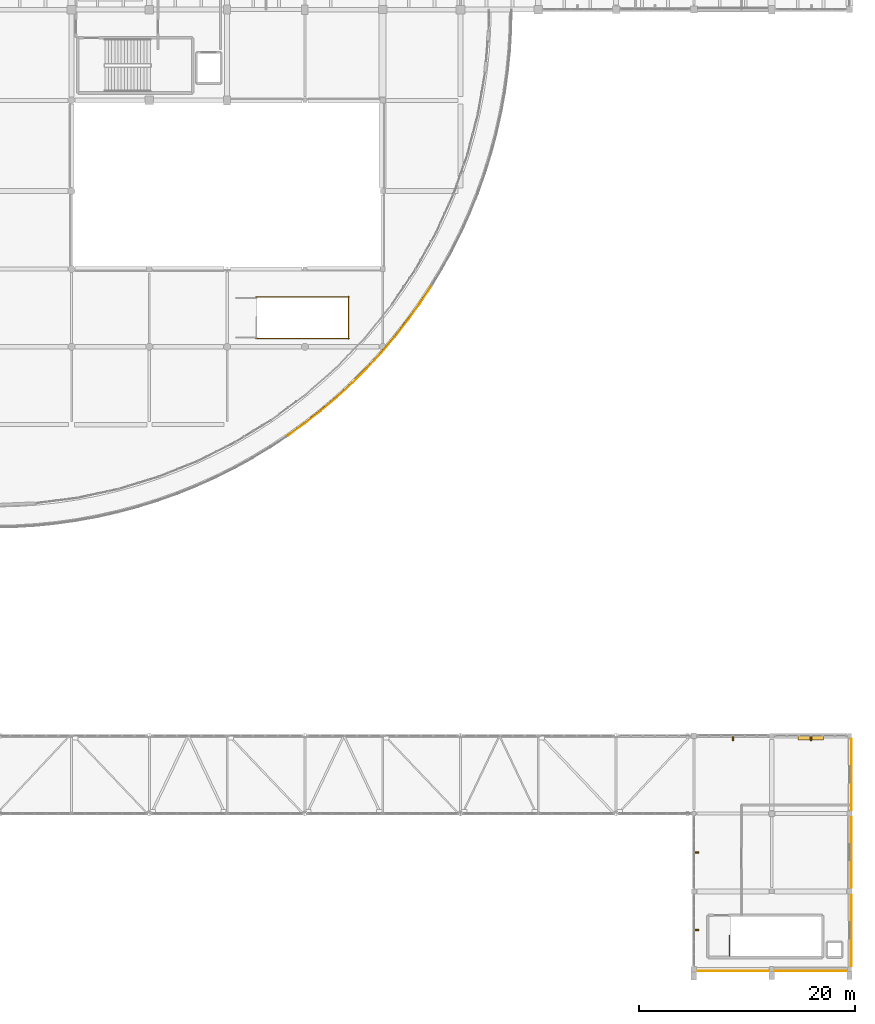
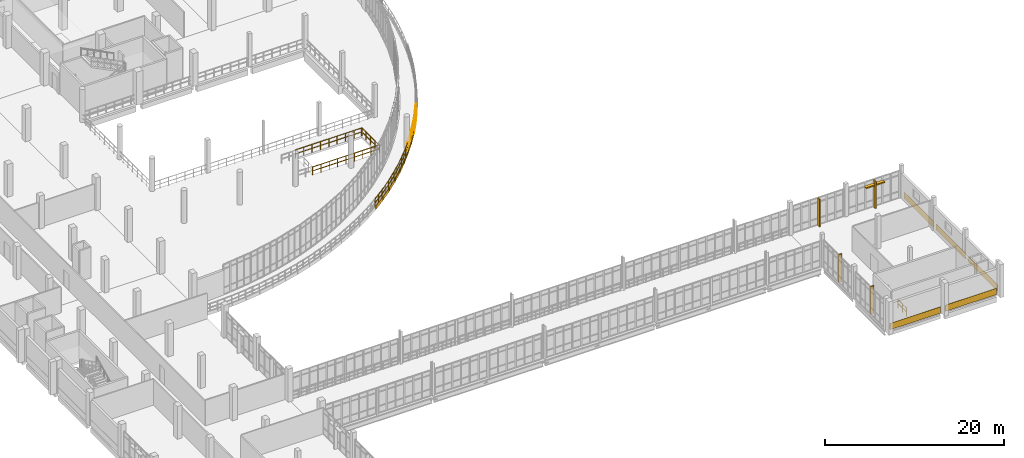
# One storey, part 111 of 116: 15 coverings, 14 railings, 5 shading devices.
"""IFC4 building model written with IfcOpenShell, lengths in metres."""

from ifc_helpers import new_model, si_unit, direction, frame, origin, origin_2d, place, context, subcontext, project, spatial, rectangle, circle, extrude, material, layer, layer_set, type_object, element, save


model = new_model("IFC4")

# Units and contexts
model_context = context("Model", 3, precision=1e-05, world=origin(), true_north=direction((0.0, 1.0)))
body_context = subcontext(model_context, "Body", "Model", "MODEL_VIEW")
ifc_project = project(units=[si_unit("LENGTHUNIT", "METRE"), si_unit("AREAUNIT", "SQUARE_METRE"), si_unit("VOLUMEUNIT", "CUBIC_METRE"), si_unit("PLANEANGLEUNIT", "RADIAN"), si_unit("MASSUNIT", "GRAM", prefix="KILO")], contexts=[model_context])

# Site, building, storey
site_placement = place(None, origin())
site = spatial("IfcSite", under=ifc_project, at=site_placement, CompositionType="ELEMENT")
building_placement = place(site_placement, origin())
building = spatial("IfcBuilding", under=site, at=building_placement, Name="Kalluvel Institute of Natural Sciences", CompositionType="ELEMENT")
storey_placement = place(building_placement, frame((0.0, 0.0, 14.39990234375)))
storey = spatial("IfcBuildingStorey", under=building, at=storey_placement, Name="L03", CompositionType="ELEMENT", Elevation=14.39990234375)

# Coverings
ifc_material_1 = material(Name="Sadarahalli Grey Granite Ashlar Concrete M40", Category="masonry")
ifc_layer = layer(ifc_material_1, 0.044921875)
ifc_layer_set = layer_set([ifc_layer], Name="Sadarahalli Grey Granite Ashlar Concrete M40")
covering_type = type_object("IfcCoveringType", Name="COV-CLAD-STONE", PredefinedType="CLADDING", material=ifc_layer_set)
covering_1_placement = place(storey_placement, frame((63.598876953125, 63.934814453125, -0.31982421875), z_axis=(0.0, 0.0, 1.0), x_axis=(0.811369990919, 0.584532922799, 0.0)))
element("IfcCovering", 1, at=covering_1_placement, inside=storey, type_object=covering_type, Name="L03 curved terrace Sadarahalli stone spandrel fascia 307", PredefinedType="CLADDING", context=body_context, shape_type="SweptSolid", body=[
    extrude(rectangle(XDim=1.88916015625, YDim=0.054931640625, at=origin_2d()), origin(), (0.0, 0.0, 1.0), 0.47998046875),
])
covering_2_placement = place(storey_placement, frame((65.14111328125, 65.09375, -0.31982421875), z_axis=(0.0, 0.0, 1.0), x_axis=(0.787150360167, 0.616761145412, 0.0)))
element("IfcCovering", 2, at=covering_2_placement, inside=storey, type_object=covering_type, Name="L03 curved terrace Sadarahalli stone spandrel fascia 308", PredefinedType="CLADDING", context=body_context, shape_type="SweptSolid", body=[
    extrude(rectangle(XDim=1.888916015625, YDim=0.054931640625, at=origin_2d()), origin(), (0.0, 0.0, 1.0), 0.47998046875),
])
for number, where, z_axis, x_axis, name in (
    (3, (66.63525390625, 66.313720703125, -0.31982421875), (0.0, 0.0, 1.0), (0.761764497661, 0.647854034566, 0.0), "L03 curved terrace Sadarahalli stone spandrel fascia 309"),
    (4, (68.079345703125, 67.593017578125, -0.31982421875), (0.0, 0.0, 1.0), (0.735032945147, 0.678031392746, 0.0), "L03 curved terrace Sadarahalli stone spandrel fascia 310"),
    (5, (69.470703125, 68.929443359375, -0.31982421875), (0.0, 0.0, 1.0), (0.707106781187, 0.707106781187, 0.0), "L03 curved terrace Sadarahalli stone spandrel fascia 311"),
    (6, (70.806884765625, 70.32080078125, -0.31982421875), (0.0, 0.0, 1.0), (0.678031392746, 0.735032945147, 0.0), "L03 curved terrace Sadarahalli stone spandrel fascia 312"),
    (7, (72.086181640625, 71.7646484375, -0.31982421875), (0.0, 0.0, 1.0), (0.647854034566, 0.761764497661, 0.0), "L03 curved terrace Sadarahalli stone spandrel fascia 313"),
):
    element("IfcCovering", number, at=place(storey_placement, frame(where, z_axis=z_axis, x_axis=x_axis)), inside=storey, type_object=covering_type, Name=name, PredefinedType="CLADDING", context=body_context, shape_type="SweptSolid", body=[
        extrude(rectangle(XDim=1.88916015625, YDim=0.054931640625, at=origin_2d()), origin(), (0.0, 0.0, 1.0), 0.47998046875),
    ])
covering_3_placement = place(storey_placement, frame((73.306396484375, 73.259033203125, -0.31982421875), z_axis=(0.0, 0.0, 1.0), x_axis=(0.616761145412, 0.787150360167, 0.0)))
element("IfcCovering", 8, at=covering_3_placement, inside=storey, type_object=covering_type, Name="L03 curved terrace Sadarahalli stone spandrel fascia 314", PredefinedType="CLADDING", context=body_context, shape_type="SweptSolid", body=[
    extrude(rectangle(XDim=1.888916015625, YDim=0.054931640625, at=origin_2d()), origin(), (0.0, 0.0, 1.0), 0.47998046875),
])
for number, where, z_axis, x_axis, name in (
    (9, (74.465087890625, 74.80126953125, -0.31982421875), (0.0, 0.0, 1.0), (0.584532922799, 0.811369990919, 0.0), "L03 curved terrace Sadarahalli stone spandrel fascia 315"),
    (10, (75.56103515625, 76.388916015625, -0.31982421875), (0.0, 0.0, 1.0), (0.551354688728, 0.834270943529, 0.0), "L03 curved terrace Sadarahalli stone spandrel fascia 316"),
):
    element("IfcCovering", number, at=place(storey_placement, frame(where, z_axis=z_axis, x_axis=x_axis)), inside=storey, type_object=covering_type, Name=name, PredefinedType="CLADDING", context=body_context, shape_type="SweptSolid", body=[
        extrude(rectangle(XDim=1.88916015625, YDim=0.054931640625, at=origin_2d()), origin(), (0.0, 0.0, 1.0), 0.47998046875),
    ])
covering_4_placement = place(storey_placement, frame((104.012451171875, 13.820068359375, 0.025146484375), z_axis=(0.0, 0.0, 1.0), x_axis=(1.0, 0.0, 0.0)))
element("IfcCovering", 11, at=covering_4_placement, inside=storey, type_object=covering_type, Name="L03 Sadarahalli granite plinth spandrel cladding 331", PredefinedType="CLADDING", context=body_context, shape_type="SweptSolid", body=[
    extrude(rectangle(XDim=6.56494140625, YDim=0.044921875, at=origin_2d()), origin(), (0.0, 0.0, 1.0), 0.85009765625),
])
covering_5_placement = place(storey_placement, frame((111.21240234375, 13.820068359375, 0.025146484375), z_axis=(0.0, 0.0, 1.0), x_axis=(1.0, 0.0, 0.0)))
element("IfcCovering", 12, at=covering_5_placement, inside=storey, type_object=covering_type, Name="L03 Sadarahalli granite plinth spandrel cladding 332", PredefinedType="CLADDING", context=body_context, shape_type="SweptSolid", body=[
    extrude(rectangle(XDim=6.614990234375, YDim=0.044921875, at=origin_2d()), origin(), (0.0, 0.0, 1.0), 0.85009765625),
])
covering_6_placement = place(storey_placement, frame((114.969970703125, 17.574951171875, 0.025146484375), z_axis=(0.0, 0.0, 1.0), x_axis=(0.0, 1.0, 0.0)))
element("IfcCovering", 13, at=covering_6_placement, inside=storey, type_object=covering_type, Name="L03 Sadarahalli granite plinth spandrel cladding 333", PredefinedType="CLADDING", context=body_context, shape_type="SweptSolid", body=[
    extrude(rectangle(XDim=6.590087890625, YDim=0.044921875, at=origin_2d()), origin(), (0.0, 0.0, 1.0), 0.85009765625),
])
covering_7_placement = place(storey_placement, frame((114.969970703125, 24.8125, 0.025146484375), z_axis=(0.0, 0.0, 1.0), x_axis=(0.0, 1.0, 0.0)))
element("IfcCovering", 14, at=covering_7_placement, inside=storey, type_object=covering_type, Name="L03 Sadarahalli granite plinth spandrel cladding 334", PredefinedType="CLADDING", context=body_context, shape_type="SweptSolid", body=[
    extrude(rectangle(XDim=6.56494140625, YDim=0.044921875, at=origin_2d()), origin(), (0.0, 0.0, 1.0), 0.85009765625),
])
covering_8_placement = place(storey_placement, frame((114.969970703125, 32.012451171875, 0.025146484375), z_axis=(0.0, 0.0, 1.0), x_axis=(0.0, 1.0, 0.0)))
element("IfcCovering", 15, at=covering_8_placement, inside=storey, type_object=covering_type, Name="L03 Sadarahalli granite plinth spandrel cladding 335", PredefinedType="CLADDING", context=body_context, shape_type="SweptSolid", body=[
    extrude(rectangle(XDim=6.614990234375, YDim=0.044921875, at=origin_2d()), origin(), (0.0, 0.0, 1.0), 0.85009765625),
])

# Railings
ifc_material_2 = material(Name="Steel E350 Grade 350", Category="steel")
railing_type_1 = type_object("IfcRailingType", Name="RL-BAL-EXT", PredefinedType="BALUSTRADE", material=ifc_material_2)
railing_1_placement = place(storey_placement, frame((62.7705078125, 63.436767578125, 0.0)))
element("IfcRailing", 16, at=railing_1_placement, inside=storey, type_object=railing_type_1, Name="L03 curved atrium terrace balustrade", PredefinedType="BALUSTRADE", context=body_context, shape_type="SweptSolid", body=[
    extrude(circle(Radius=0.02392578125, at=origin_2d()), frame((0.0, 0.0, 1.09619140625), z_axis=(0.811380464155, 0.584518384987, 0.0), x_axis=(-0.584518384987, 0.811380464155, 0.0)), (0.0, 0.0, 1.0), 1.92626953125),
    extrude(circle(Radius=0.02392578125, at=origin_2d()), frame((0.0, 0.0, 0.56005859375), z_axis=(0.811380464155, 0.584518384987, 0.0), x_axis=(-0.584518384987, 0.811380464155, 0.0)), (0.0, 0.0, 1.0), 1.92626953125),
    extrude(circle(Radius=0.02099609375, at=origin_2d()), origin(), (0.0, 0.0, 1.0), 1.072021484375),
    extrude(circle(Radius=0.02099609375, at=origin_2d()), frame((0.781494140625, 0.56298828125, 0.0)), (0.0, 0.0, 1.0), 1.072021484375),
    extrude(circle(Radius=0.02099609375, at=origin_2d()), frame((1.56298828125, 1.1259765625, 0.0)), (0.0, 0.0, 1.0), 1.072021484375),
])
railing_2_placement = place(storey_placement, frame((64.33349609375, 64.562744140625, 0.0)))
element("IfcRailing", 17, at=railing_2_placement, inside=storey, type_object=railing_type_1, Name="L03 curved atrium terrace balustrade", PredefinedType="BALUSTRADE", context=body_context, shape_type="SweptSolid", body=[
    extrude(circle(Radius=0.02392578125, at=origin_2d()), frame((0.0, 0.0, 1.09619140625), z_axis=(0.787245487094, 0.616639719001, 0.0), x_axis=(-0.616639719001, 0.787245487094, 0.0)), (0.0, 0.0, 1.0), 1.92626953125),
    extrude(circle(Radius=0.02392578125, at=origin_2d()), frame((0.0, 0.0, 0.56005859375), z_axis=(0.787245487094, 0.616639719001, 0.0), x_axis=(-0.616639719001, 0.787245487094, 0.0)), (0.0, 0.0, 1.0), 1.92626953125),
    extrude(circle(Radius=0.02099609375, at=origin_2d()), origin(), (0.0, 0.0, 1.0), 1.072021484375),
    extrude(circle(Radius=0.02099609375, at=origin_2d()), frame((0.75830078125, 0.59375, 0.0)), (0.0, 0.0, 1.0), 1.072021484375),
    extrude(circle(Radius=0.02099609375, at=origin_2d()), frame((1.516357421875, 1.187744140625, 0.0)), (0.0, 0.0, 1.0), 1.072021484375),
])
railing_3_placement = place(storey_placement, frame((65.849853515625, 65.75048828125, 0.0)))
element("IfcRailing", 18, at=railing_3_placement, inside=storey, type_object=railing_type_1, Name="L03 curved atrium terrace balustrade", PredefinedType="BALUSTRADE", context=body_context, shape_type="SweptSolid", body=[
    extrude(circle(Radius=0.02392578125, at=origin_2d()), frame((0.0, 0.0, 1.09619140625), z_axis=(0.761657824086, 0.647979443353, 0.0), x_axis=(-0.647979443353, 0.761657824086, 0.0)), (0.0, 0.0, 1.0), 1.926513671875),
    extrude(circle(Radius=0.02392578125, at=origin_2d()), frame((0.0, 0.0, 0.56005859375), z_axis=(0.761657824086, 0.647979443353, 0.0), x_axis=(-0.647979443353, 0.761657824086, 0.0)), (0.0, 0.0, 1.0), 1.926513671875),
    extrude(circle(Radius=0.02099609375, at=origin_2d()), origin(), (0.0, 0.0, 1.0), 1.072021484375),
    extrude(circle(Radius=0.02099609375, at=origin_2d()), frame((0.733642578125, 0.6240234375, 0.0)), (0.0, 0.0, 1.0), 1.072021484375),
    extrude(circle(Radius=0.02099609375, at=origin_2d()), frame((1.46728515625, 1.248291015625, 0.0)), (0.0, 0.0, 1.0), 1.072021484375),
])
railing_4_placement = place(storey_placement, frame((67.317138671875, 66.998779296875, 0.0)))
element("IfcRailing", 19, at=railing_4_placement, inside=storey, type_object=railing_type_1, Name="L03 curved atrium terrace balustrade", PredefinedType="BALUSTRADE", context=body_context, shape_type="SweptSolid", body=[
    extrude(circle(Radius=0.02392578125, at=origin_2d()), frame((0.0, 0.0, 1.09619140625), z_axis=(0.734988066707, 0.678080040849, 0.0), x_axis=(-0.678080040849, 0.734988066707, 0.0)), (0.0, 0.0, 1.0), 1.92626953125),
    extrude(circle(Radius=0.02392578125, at=origin_2d()), frame((0.0, 0.0, 0.56005859375), z_axis=(0.734988066707, 0.678080040849, 0.0), x_axis=(-0.678080040849, 0.734988066707, 0.0)), (0.0, 0.0, 1.0), 1.92626953125),
    extrude(circle(Radius=0.02099609375, at=origin_2d()), origin(), (0.0, 0.0, 1.0), 1.072021484375),
    extrude(circle(Radius=0.02099609375, at=origin_2d()), frame((0.7080078125, 0.653076171875, 0.0)), (0.0, 0.0, 1.0), 1.072021484375),
    extrude(circle(Radius=0.02099609375, at=origin_2d()), frame((1.415771484375, 1.30615234375, 0.0)), (0.0, 0.0, 1.0), 1.072021484375),
])
railing_5_placement = place(storey_placement, frame((68.73291015625, 68.304931640625, 0.0)))
element("IfcRailing", 20, at=railing_5_placement, inside=storey, type_object=railing_type_1, Name="L03 curved atrium terrace balustrade", PredefinedType="BALUSTRADE", context=body_context, shape_type="SweptSolid", body=[
    extrude(circle(Radius=0.02392578125, at=origin_2d()), frame((0.0, 0.0, 1.09619140625), z_axis=(0.707170144848, 0.707043411847, 0.0), x_axis=(-0.707043411847, 0.707170144848, 0.0)), (0.0, 0.0, 1.0), 1.926513671875),
    extrude(circle(Radius=0.02392578125, at=origin_2d()), frame((0.0, 0.0, 0.56005859375), z_axis=(0.707170144848, 0.707043411847, 0.0), x_axis=(-0.707043411847, 0.707170144848, 0.0)), (0.0, 0.0, 1.0), 1.926513671875),
    extrude(circle(Radius=0.02099609375, at=origin_2d()), origin(), (0.0, 0.0, 1.0), 1.072021484375),
    extrude(circle(Radius=0.02099609375, at=origin_2d()), frame((0.68115234375, 0.68115234375, 0.0)), (0.0, 0.0, 1.0), 1.072021484375),
    extrude(circle(Radius=0.02099609375, at=origin_2d()), frame((1.3623046875, 1.362060546875, 0.0)), (0.0, 0.0, 1.0), 1.072021484375),
])
railing_6_placement = place(storey_placement, frame((70.09521484375, 69.6669921875, 0.0)))
element("IfcRailing", 21, at=railing_6_placement, inside=storey, type_object=railing_type_1, Name="L03 curved atrium terrace balustrade", PredefinedType="BALUSTRADE", context=body_context, shape_type="SweptSolid", body=[
    extrude(circle(Radius=0.02392578125, at=origin_2d()), frame((0.0, 0.0, 1.09619140625), z_axis=(0.678080040849, 0.734988066707, 0.0), x_axis=(-0.734988066707, 0.678080040849, 0.0)), (0.0, 0.0, 1.0), 1.92626953125),
    extrude(circle(Radius=0.02392578125, at=origin_2d()), frame((0.0, 0.0, 0.56005859375), z_axis=(0.678080040849, 0.734988066707, 0.0), x_axis=(-0.734988066707, 0.678080040849, 0.0)), (0.0, 0.0, 1.0), 1.92626953125),
    extrude(circle(Radius=0.02099609375, at=origin_2d()), origin(), (0.0, 0.0, 1.0), 1.072021484375),
    extrude(circle(Radius=0.02099609375, at=origin_2d()), frame((0.653076171875, 0.7080078125, 0.0)), (0.0, 0.0, 1.0), 1.072021484375),
    extrude(circle(Radius=0.02099609375, at=origin_2d()), frame((1.30615234375, 1.415771484375, 0.0)), (0.0, 0.0, 1.0), 1.072021484375),
])
railing_7_placement = place(storey_placement, frame((71.4013671875, 71.082763671875, 0.0)))
element("IfcRailing", 22, at=railing_7_placement, inside=storey, type_object=railing_type_1, Name="L03 curved atrium terrace balustrade", PredefinedType="BALUSTRADE", context=body_context, shape_type="SweptSolid", body=[
    extrude(circle(Radius=0.02392578125, at=origin_2d()), frame((0.0, 0.0, 1.09619140625), z_axis=(0.647843368005, 0.761773569069, 0.0), x_axis=(-0.761773569069, 0.647843368005, 0.0)), (0.0, 0.0, 1.0), 1.926513671875),
    extrude(circle(Radius=0.02392578125, at=origin_2d()), frame((0.0, 0.0, 0.56005859375), z_axis=(0.647843368005, 0.761773569069, 0.0), x_axis=(-0.761773569069, 0.647843368005, 0.0)), (0.0, 0.0, 1.0), 1.926513671875),
    extrude(circle(Radius=0.02099609375, at=origin_2d()), origin(), (0.0, 0.0, 1.0), 1.072021484375),
    extrude(circle(Radius=0.02099609375, at=origin_2d()), frame((0.6240234375, 0.73388671875, 0.0)), (0.0, 0.0, 1.0), 1.072021484375),
    extrude(circle(Radius=0.02099609375, at=origin_2d()), frame((1.248046875, 1.467529296875, 0.0)), (0.0, 0.0, 1.0), 1.072021484375),
])
railing_8_placement = place(storey_placement, frame((72.6494140625, 72.55029296875, 0.0)))
element("IfcRailing", 23, at=railing_8_placement, inside=storey, type_object=railing_type_1, Name="L03 curved atrium terrace balustrade", PredefinedType="BALUSTRADE", context=body_context, shape_type="SweptSolid", body=[
    extrude(circle(Radius=0.02392578125, at=origin_2d()), frame((0.0, 0.0, 1.09619140625), z_axis=(0.616779796876, 0.787135745705, 0.0), x_axis=(-0.787135745705, 0.616779796876, 0.0)), (0.0, 0.0, 1.0), 1.926025390625),
    extrude(circle(Radius=0.02392578125, at=origin_2d()), frame((0.0, 0.0, 0.56005859375), z_axis=(0.616779796876, 0.787135745705, 0.0), x_axis=(-0.787135745705, 0.616779796876, 0.0)), (0.0, 0.0, 1.0), 1.926025390625),
    extrude(circle(Radius=0.02099609375, at=origin_2d()), origin(), (0.0, 0.0, 1.0), 1.072021484375),
    extrude(circle(Radius=0.02099609375, at=origin_2d()), frame((0.593994140625, 0.758056640625, 0.0)), (0.0, 0.0, 1.0), 1.072021484375),
    extrude(circle(Radius=0.02099609375, at=origin_2d()), frame((1.18798828125, 1.51611328125, 0.0)), (0.0, 0.0, 1.0), 1.072021484375),
])
railing_9_placement = place(storey_placement, frame((73.83740234375, 74.06640625, 0.0)))
element("IfcRailing", 24, at=railing_9_placement, inside=storey, type_object=railing_type_1, Name="L03 curved atrium terrace balustrade", PredefinedType="BALUSTRADE", context=body_context, shape_type="SweptSolid", body=[
    extrude(circle(Radius=0.02392578125, at=origin_2d()), frame((0.0, 0.0, 1.09619140625), z_axis=(0.584518384987, 0.811380464155, 0.0), x_axis=(-0.811380464155, 0.584518384987, 0.0)), (0.0, 0.0, 1.0), 1.92626953125),
    extrude(circle(Radius=0.02392578125, at=origin_2d()), frame((0.0, 0.0, 0.56005859375), z_axis=(0.584518384987, 0.811380464155, 0.0), x_axis=(-0.811380464155, 0.584518384987, 0.0)), (0.0, 0.0, 1.0), 1.92626953125),
    extrude(circle(Radius=0.02099609375, at=origin_2d()), origin(), (0.0, 0.0, 1.0), 1.072021484375),
    extrude(circle(Radius=0.02099609375, at=origin_2d()), frame((0.56298828125, 0.781494140625, 0.0)), (0.0, 0.0, 1.0), 1.072021484375),
    extrude(circle(Radius=0.02099609375, at=origin_2d()), frame((1.1259765625, 1.56298828125, 0.0)), (0.0, 0.0, 1.0), 1.072021484375),
])
railing_10_placement = place(storey_placement, frame((74.96337890625, 75.62939453125, 0.0)))
element("IfcRailing", 25, at=railing_10_placement, inside=storey, type_object=railing_type_1, Name="L03 curved atrium terrace balustrade", PredefinedType="BALUSTRADE", context=body_context, shape_type="SweptSolid", body=[
    extrude(circle(Radius=0.02392578125, at=origin_2d()), frame((0.0, 0.0, 1.09619140625), z_axis=(0.551302951574, 0.834305133381, 0.0), x_axis=(-0.834305133381, 0.551302951574, 0.0)), (0.0, 0.0, 1.0), 1.92626953125),
    extrude(circle(Radius=0.02392578125, at=origin_2d()), frame((0.0, 0.0, 0.56005859375), z_axis=(0.551302951574, 0.834305133381, 0.0), x_axis=(-0.834305133381, 0.551302951574, 0.0)), (0.0, 0.0, 1.0), 1.92626953125),
    extrude(circle(Radius=0.02099609375, at=origin_2d()), origin(), (0.0, 0.0, 1.0), 1.072021484375),
    extrude(circle(Radius=0.02099609375, at=origin_2d()), frame((0.531005859375, 0.8037109375, 0.0)), (0.0, 0.0, 1.0), 1.072021484375),
    extrude(circle(Radius=0.02099609375, at=origin_2d()), frame((1.06201171875, 1.607177734375, 0.0)), (0.0, 0.0, 1.0), 1.072021484375),
])
ifc_material_3 = material(Name="Galvanized Fire-Rated Steel", Category="steel")
railing_type_2 = type_object("IfcRailingType", Name="RL-GD-STAIR", PredefinedType="BALUSTRADE", material=ifc_material_3)
for number, where, name in (
    (26, (59.85009765625, 72.35009765625, 0.0), "L03 ST6 top well guard 2"),
    (27, (59.85009765625, 76.199951171875, 0.0), "L03 ST6 top well guard 3"),
):
    element("IfcRailing", number, at=place(storey_placement, frame(where)), inside=storey, type_object=railing_type_2, Name=name, PredefinedType="BALUSTRADE", context=body_context, shape_type="SweptSolid", body=[
        extrude(circle(Radius=0.02392578125, at=origin_2d()), frame((0.0, 0.0, 1.09619140625), z_axis=(1.0, 0.0, 0.0), x_axis=(0.0, 1.0, 0.0)), (0.0, 0.0, 1.0), 8.64990234375),
        extrude(circle(Radius=0.02392578125, at=origin_2d()), frame((0.0, 0.0, 0.56005859375), z_axis=(1.0, 0.0, 0.0), x_axis=(0.0, 1.0, 0.0)), (0.0, 0.0, 1.0), 8.64990234375),
        extrude(circle(Radius=0.02099609375, at=origin_2d()), origin(), (0.0, 0.0, 1.0), 1.072021484375),
        extrude(circle(Radius=0.02099609375, at=origin_2d()), frame((1.081298828125, 0.0, 0.0)), (0.0, 0.0, 1.0), 1.072021484375),
        extrude(circle(Radius=0.02099609375, at=origin_2d()), frame((2.16259765625, 0.0, 0.0)), (0.0, 0.0, 1.0), 1.072021484375),
        extrude(circle(Radius=0.02099609375, at=origin_2d()), frame((3.24365234375, 0.0, 0.0)), (0.0, 0.0, 1.0), 1.072021484375),
        extrude(circle(Radius=0.02099609375, at=origin_2d()), frame((4.324951171875, 0.0, 0.0)), (0.0, 0.0, 1.0), 1.072021484375),
        extrude(circle(Radius=0.02099609375, at=origin_2d()), frame((5.40625, 0.0, 0.0)), (0.0, 0.0, 1.0), 1.072021484375),
        extrude(circle(Radius=0.02099609375, at=origin_2d()), frame((6.4873046875, 0.0, 0.0)), (0.0, 0.0, 1.0), 1.072021484375),
        extrude(circle(Radius=0.02099609375, at=origin_2d()), frame((7.568603515625, 0.0, 0.0)), (0.0, 0.0, 1.0), 1.072021484375),
        extrude(circle(Radius=0.02099609375, at=origin_2d()), frame((8.64990234375, 0.0, 0.0)), (0.0, 0.0, 1.0), 1.072021484375),
    ])
railing_11_placement = place(storey_placement, frame((68.449951171875, 72.300048828125, 0.0)))
element("IfcRailing", 28, at=railing_11_placement, inside=storey, type_object=railing_type_2, Name="L03 ST6 top well guard 4", PredefinedType="BALUSTRADE", context=body_context, shape_type="SweptSolid", body=[
    extrude(circle(Radius=0.02392578125, at=origin_2d()), frame((0.0, 0.0, 1.09619140625), z_axis=(0.0, 1.0, 0.0), x_axis=(-1.0, 0.0, 0.0)), (0.0, 0.0, 1.0), 3.949951171875),
    extrude(circle(Radius=0.02392578125, at=origin_2d()), frame((0.0, 0.0, 0.56005859375), z_axis=(0.0, 1.0, 0.0), x_axis=(-1.0, 0.0, 0.0)), (0.0, 0.0, 1.0), 3.949951171875),
    extrude(circle(Radius=0.02099609375, at=origin_2d()), origin(), (0.0, 0.0, 1.0), 1.072021484375),
    extrude(circle(Radius=0.02099609375, at=origin_2d()), frame((0.0, 0.987548828125, 0.0)), (0.0, 0.0, 1.0), 1.072021484375),
    extrude(circle(Radius=0.02099609375, at=origin_2d()), frame((0.0, 1.97509765625, 0.0)), (0.0, 0.0, 1.0), 1.072021484375),
    extrude(circle(Radius=0.02099609375, at=origin_2d()), frame((0.0, 2.96240234375, 0.0)), (0.0, 0.0, 1.0), 1.072021484375),
    extrude(circle(Radius=0.02099609375, at=origin_2d()), frame((0.0, 3.949951171875, 0.0)), (0.0, 0.0, 1.0), 1.072021484375),
])
railing_12_placement = place(storey_placement, frame((103.699951171875, 15.199951171875, 0.0)))
element("IfcRailing", 29, at=railing_12_placement, inside=storey, type_object=railing_type_2, Name="L03 ST7 top well guard 1", PredefinedType="BALUSTRADE", context=body_context, shape_type="SweptSolid", body=[
    extrude(circle(Radius=0.02392578125, at=origin_2d()), frame((0.0, 0.0, 1.09619140625), z_axis=(0.0, 1.0, 0.0), x_axis=(-1.0, 0.0, 0.0)), (0.0, 0.0, 1.0), 1.91015625),
    extrude(circle(Radius=0.02392578125, at=origin_2d()), frame((0.0, 0.0, 0.56005859375), z_axis=(0.0, 1.0, 0.0), x_axis=(-1.0, 0.0, 0.0)), (0.0, 0.0, 1.0), 1.91015625),
    extrude(circle(Radius=0.02099609375, at=origin_2d()), origin(), (0.0, 0.0, 1.0), 1.072021484375),
    extrude(circle(Radius=0.02099609375, at=origin_2d()), frame((0.0, 0.955078125, 0.0)), (0.0, 0.0, 1.0), 1.072021484375),
    extrude(circle(Radius=0.02099609375, at=origin_2d()), frame((0.0, 1.91015625, 0.0)), (0.0, 0.0, 1.0), 1.072021484375),
])

# Shading devices
shading_device_type_1 = type_object("IfcShadingDeviceType", Name="SHD-FIN-STONE", PredefinedType="USERDEFINED", material=ifc_material_1)
for number, where, z_axis, x_axis, name in (
    (30, (104.012451171875, 35.3798828125, 0.0), (0.0, 0.0, 1.0), (1.0, 0.0, 0.0), "L03 monsoon lancet shading fin 236"),
    (31, (111.21240234375, 35.3798828125, 0.0), (0.0, 0.0, 1.0), (1.0, 0.0, 0.0), "L03 monsoon lancet shading fin 237"),
    (32, (100.6201171875, 17.612548828125, 0.0), (0.0, 0.0, 1.0), (0.0, 1.0, 0.0), "L03 monsoon lancet shading fin 239"),
    (33, (100.6201171875, 24.8125, 0.0), (0.0, 0.0, 1.0), (0.0, 1.0, 0.0), "L03 monsoon lancet shading fin 240"),
):
    element("IfcShadingDevice", number, at=place(storey_placement, frame(where, z_axis=z_axis, x_axis=x_axis)), inside=storey, type_object=shading_device_type_1, Name=name, ObjectType="MONSOON FIN", PredefinedType="USERDEFINED", context=body_context, shape_type="SweptSolid", body=[
        extrude(rectangle(XDim=0.139892578125, YDim=0.47998046875, at=origin_2d()), origin(), (0.0, 0.0, 1.0), 3.75),
    ])
ifc_material_4 = material(Name="Aluminium AW-6063 T6", Category="aluminium")
shading_device_type_2 = type_object("IfcShadingDeviceType", Name="SHD-LOUV-ALU", PredefinedType="JALOUSIE", material=ifc_material_4)
shading_device_placement = place(storey_placement, frame((111.21240234375, 35.39990234375, 3.0703125), z_axis=(0.0, 0.0, 1.0), x_axis=(1.0, 0.0, 0.0)))
element("IfcShadingDevice", 34, at=shading_device_placement, inside=storey, type_object=shading_device_type_2, Name="L03 aluminium sun-shading louvre 238", PredefinedType="JALOUSIE", context=body_context, shape_type="SweptSolid", body=[
    extrude(rectangle(XDim=2.39990234375, YDim=0.419921875, at=origin_2d()), origin(), (0.0, 0.0, 1.0), 0.159912109375),
])

save(model, "model.ifc")
